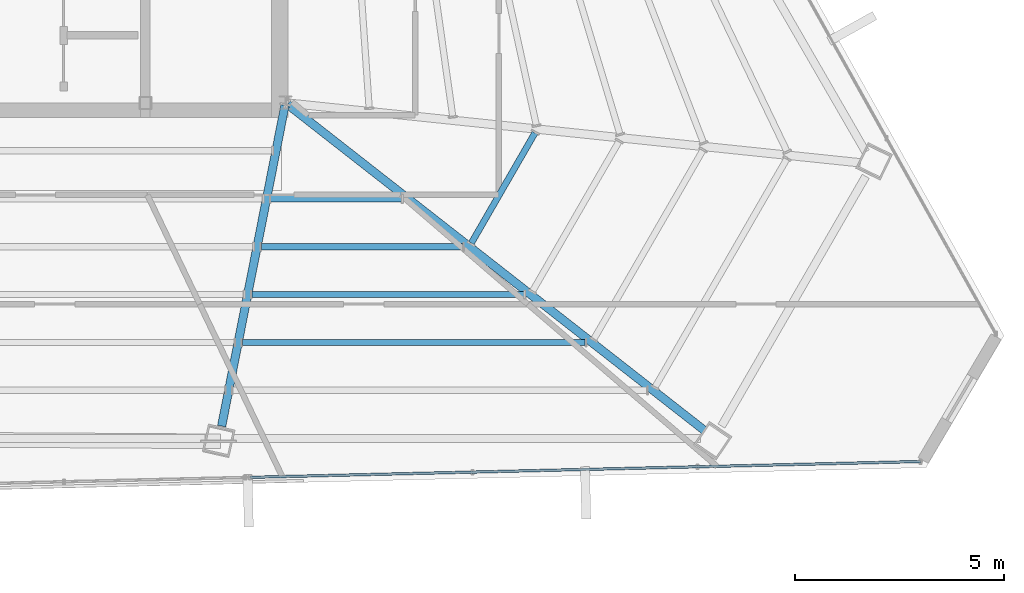
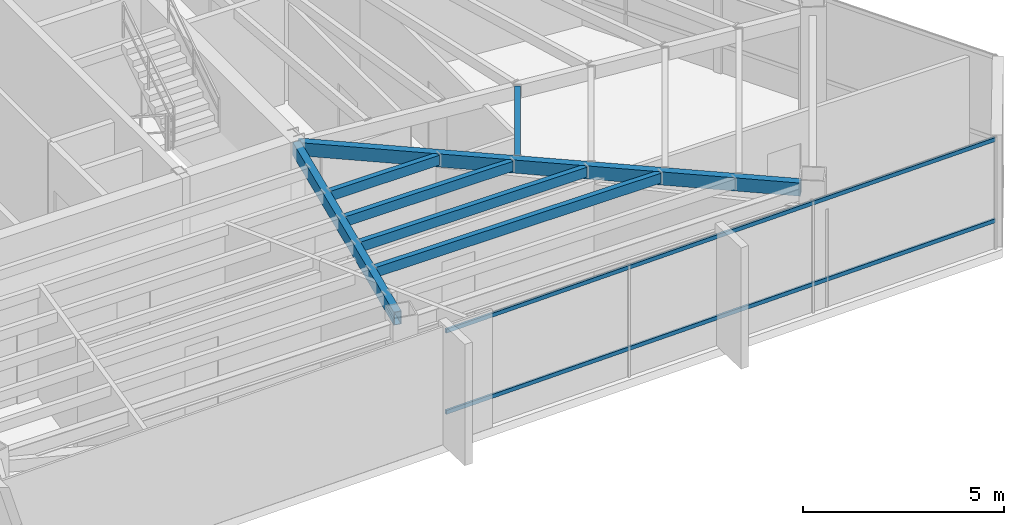
# One storey, part 20 of 47: 7 beams, 2 members, 1 element without a shape of its own.
"""IFC4 building model written with IfcOpenShell, lengths in metres."""

from ifc_helpers import new_model, si_unit, direction, frame, origin, origin_2d, place, context, subcontext, project, spatial, hollow_rectangle, extrude, source, transform, mapped, material, material_profile, profile_set, type_object, type_shapes, element, aggregate, save


model = new_model("IFC4")

# Units and contexts
model_context = context("Model", 3, precision=1e-05, world=origin(), true_north=direction((0.0, 1.0)))
body_context = subcontext(model_context, "Body", "Model", "MODEL_VIEW")
ifc_project = project(units=[si_unit("LENGTHUNIT", "METRE"), si_unit("AREAUNIT", "SQUARE_METRE"), si_unit("VOLUMEUNIT", "CUBIC_METRE"), si_unit("PLANEANGLEUNIT", "RADIAN"), si_unit("MASSUNIT", "GRAM", prefix="KILO")], contexts=[model_context])

# Site, building, storey
site_placement = place(None, origin())
site = spatial("IfcSite", under=ifc_project, at=site_placement, CompositionType="ELEMENT")
building_placement = place(site_placement, origin())
building = spatial("IfcBuilding", under=site, at=building_placement, Name="Caelisora Broadcast Tower", CompositionType="ELEMENT")
storey_placement = place(building_placement, frame((0.0, 0.0, 255.39990234375)))
storey = spatial("IfcBuildingStorey", under=building, at=storey_placement, Name="L67", CompositionType="ELEMENT", Elevation=255.39990234375)

# Beams
ifc_material_1 = material(Name="Steel Grade 350 (AS/NZS 1163 C350L0)", Category="steel")
ifc_material_profile_1 = material_profile(ifc_material_1, hollow_rectangle(XDim=0.199951171875, YDim=0.39990234375, WallThickness=0.012451171875, at=origin_2d()), Name="Steel Grade 350 (AS/NZS 1163 C350L0)")
ifc_profile_set_1 = profile_set([ifc_material_profile_1], Name="Steel Grade 350 (AS/NZS 1163 C350L0)")
beam_type_1 = type_object("IfcBeamType", Name="PG07", PredefinedType="BEAM", material=ifc_profile_set_1)
shared_shape_1 = source(origin(), body_context, "Body", "SweptSolid", [
    extrude(hollow_rectangle(XDim=0.199951171875, YDim=0.39990234375, WallThickness=0.012451171875, at=origin_2d()), origin(), (0.0, 0.0, 1.0), 12.653564453125),
])
beam_1_placement = place(storey_placement, frame((45.54736328125, 17.363037109375, 3.2001953125), z_axis=(0.787725624068, -0.616026250404, 0.0), x_axis=(0.616026250404, 0.787725624068, 0.0)))
element("IfcBeam", 1, at=beam_1_placement, inside=storey, type_object=beam_type_1, Name="L67 beam PG07", PredefinedType="BEAM", context=body_context, shape_type="MappedRepresentation", body=[
    mapped(shared_shape_1, transform((0.0, 0.0, 0.0), scale=1.0)),
])
shared_shape_2 = source(origin(), body_context, "Body", "SweptSolid", [
    extrude(hollow_rectangle(XDim=0.199951171875, YDim=0.39990234375, WallThickness=0.012451171875, at=origin_2d()), origin(), (0.0, 0.0, 1.0), 7.8125),
])
type_shapes(beam_type_1, [shared_shape_1, shared_shape_2])
beam_2_placement = place(storey_placement, frame((45.48828125, 17.341064453125, 3.2001953125), z_axis=(-0.193783818977, -0.981044255629, 0.0), x_axis=(0.981044255629, -0.193783818977, 0.0)))
element("IfcBeam", 2, at=beam_2_placement, inside=storey, type_object=beam_type_1, Name="L67 beam PG07", PredefinedType="BEAM", context=body_context, shape_type="MappedRepresentation", body=[
    mapped(shared_shape_2, transform((0.0, 0.0, 0.0), scale=1.0)),
])
ifc_material_profile_2 = material_profile(ifc_material_1, hollow_rectangle(XDim=0.14990234375, YDim=0.300048828125, WallThickness=0.010009765625, at=origin_2d()), Name="Steel Grade 350 (AS/NZS 1163 C350L0)")
ifc_profile_set_2 = profile_set([ifc_material_profile_2], Name="Steel Grade 350 (AS/NZS 1163 C350L0)")
beam_type_2 = type_object("IfcBeamType", Name="SB05", PredefinedType="JOIST", material=ifc_profile_set_2)
shared_shape_3 = source(origin(), body_context, "Body", "SweptSolid", [
    extrude(hollow_rectangle(XDim=0.14990234375, YDim=0.300048828125, WallThickness=0.010009765625, at=origin_2d()), origin(), (0.0, 0.0, 1.0), 3.037841796875),
])
beam_3_placement = place(storey_placement, frame((49.941650390625, 14.049560546875, 3.25), z_axis=(0.49996826437, 0.866043725583, 0.0), x_axis=(-0.866043725583, 0.49996826437, 0.0)))
element("IfcBeam", 3, at=beam_3_placement, inside=storey, type_object=beam_type_2, Name="L67 beam SB05", PredefinedType="JOIST", context=body_context, shape_type="MappedRepresentation", body=[
    mapped(shared_shape_3, transform((0.0, 0.0, 0.0), scale=1.0)),
])
shared_shape_4 = source(origin(), body_context, "Body", "SweptSolid", [
    extrude(hollow_rectangle(XDim=0.14990234375, YDim=0.300048828125, WallThickness=0.010009765625, at=origin_2d()), origin(), (0.0, 0.0, 1.0), 3.12255859375),
])
beam_4_placement = place(storey_placement, frame((45.146484375, 15.10986328125, 3.25), z_axis=(1.0, 0.0, 0.0), x_axis=(0.0, 1.0, 0.0)))
element("IfcBeam", 4, at=beam_4_placement, inside=storey, type_object=beam_type_2, Name="L67 beam SB05", PredefinedType="JOIST", context=body_context, shape_type="MappedRepresentation", body=[
    mapped(shared_shape_4, transform((0.0, 0.0, 0.0), scale=1.0)),
])
shared_shape_5 = source(origin(), body_context, "Body", "SweptSolid", [
    extrude(hollow_rectangle(XDim=0.14990234375, YDim=0.300048828125, WallThickness=0.010009765625, at=origin_2d()), origin(), (0.0, 0.0, 1.0), 4.81298828125),
])
beam_5_placement = place(storey_placement, frame((44.92041015625, 13.964599609375, 3.25), z_axis=(1.0, 0.0, 0.0), x_axis=(0.0, 1.0, 0.0)))
element("IfcBeam", 5, at=beam_5_placement, inside=storey, type_object=beam_type_2, Name="L67 beam SB05", PredefinedType="JOIST", context=body_context, shape_type="MappedRepresentation", body=[
    mapped(shared_shape_5, transform((0.0, 0.0, 0.0), scale=1.0)),
])
shared_shape_6 = source(origin(), body_context, "Body", "SweptSolid", [
    extrude(hollow_rectangle(XDim=0.14990234375, YDim=0.300048828125, WallThickness=0.010009765625, at=origin_2d()), origin(), (0.0, 0.0, 1.0), 6.50341796875),
])
beam_6_placement = place(storey_placement, frame((44.694091796875, 12.819580078125, 3.25), z_axis=(1.0, 0.0, 0.0), x_axis=(0.0, 1.0, 0.0)))
element("IfcBeam", 6, at=beam_6_placement, inside=storey, type_object=beam_type_2, Name="L67 beam SB05", PredefinedType="JOIST", context=body_context, shape_type="MappedRepresentation", body=[
    mapped(shared_shape_6, transform((0.0, 0.0, 0.0), scale=1.0)),
])
shared_shape_7 = source(origin(), body_context, "Body", "SweptSolid", [
    extrude(hollow_rectangle(XDim=0.14990234375, YDim=0.300048828125, WallThickness=0.010009765625, at=origin_2d()), origin(), (0.0, 0.0, 1.0), 8.194091796875),
])
type_shapes(beam_type_2, [shared_shape_3, shared_shape_4, shared_shape_5, shared_shape_6, shared_shape_7])
beam_7_placement = place(storey_placement, frame((44.4677734375, 11.674560546875, 3.25), z_axis=(1.0, 0.0, 0.0), x_axis=(0.0, 1.0, 0.0)))
element("IfcBeam", 7, at=beam_7_placement, inside=storey, type_object=beam_type_2, Name="L67 beam SB05", PredefinedType="JOIST", context=body_context, shape_type="MappedRepresentation", body=[
    mapped(shared_shape_7, transform((0.0, 0.0, 0.0), scale=1.0)),
])

# Curtain wall, members
ifc_material_2 = material(Name="Unitised Aluminium and Low-E Glass Curtain Wall", Category="glass")
curtain_wall_type = type_object("IfcCurtainWallType", Name="CW-Z5", PredefinedType="NOTDEFINED", material=ifc_material_2)
curtain_wall_placement = place(storey_placement, origin())
curtain_wall = element("IfcCurtainWall", 8, at=curtain_wall_placement, inside=storey, type_object=curtain_wall_type, Name="L67 curtain wall CW-Z5", PredefinedType="NOTDEFINED")
ifc_material_3 = material(Name="Aluminium 6063-T6 Anodised Terracotta Bronze", Category="aluminium")
ifc_material_profile_3 = material_profile(ifc_material_3, hollow_rectangle(XDim=0.06005859375, YDim=0.1201171875, WallThickness=0.0029296875, at=origin_2d()), Name="Aluminium 6063-T6 Anodised Terracotta Bronze")
ifc_profile_set_3 = profile_set([ifc_material_profile_3], Name="Aluminium 6063-T6 Anodised Terracotta Bronze")
member_type = type_object("IfcMemberType", Name="CWT-03", PredefinedType="USERDEFINED", material=ifc_profile_set_3)
shared_shape_8 = source(origin(), body_context, "Body", "SweptSolid", [
    extrude(hollow_rectangle(XDim=0.06005859375, YDim=0.1201171875, WallThickness=0.0029296875, at=origin_2d()), origin(), (0.0, 0.0, 1.0), 16.023681640625),
])
type_shapes(member_type, [shared_shape_8])
member_1_placement = place(storey_placement, frame((60.669921875, 8.829833984375, 0.85009765625), z_axis=(-0.999721101988, -0.023616058951, 0.0), x_axis=(0.023616058951, -0.999721101988, 0.0)))
member_1 = element("IfcMember", 9, at=member_1_placement, type_object=member_type, Name="L67-CW-B05 transom #1", ObjectType="TRANSOM", PredefinedType="USERDEFINED", context=body_context, shape_type="MappedRepresentation", body=[
    mapped(shared_shape_8, transform((0.0, 0.0, 0.0), scale=1.0)),
])
member_2_placement = place(storey_placement, frame((60.669921875, 8.829833984375, 3.320068359375), z_axis=(-0.999721101988, -0.023616058951, 0.0), x_axis=(0.023616058951, -0.999721101988, 0.0)))
member_2 = element("IfcMember", 10, at=member_2_placement, type_object=member_type, Name="L67-CW-B05 transom #2", ObjectType="TRANSOM", PredefinedType="USERDEFINED", context=body_context, shape_type="MappedRepresentation", body=[
    mapped(shared_shape_8, transform((0.0, 0.0, 0.0), scale=1.0)),
])
aggregate(curtain_wall, [member_1, member_2])

save(model, "model.ifc")
